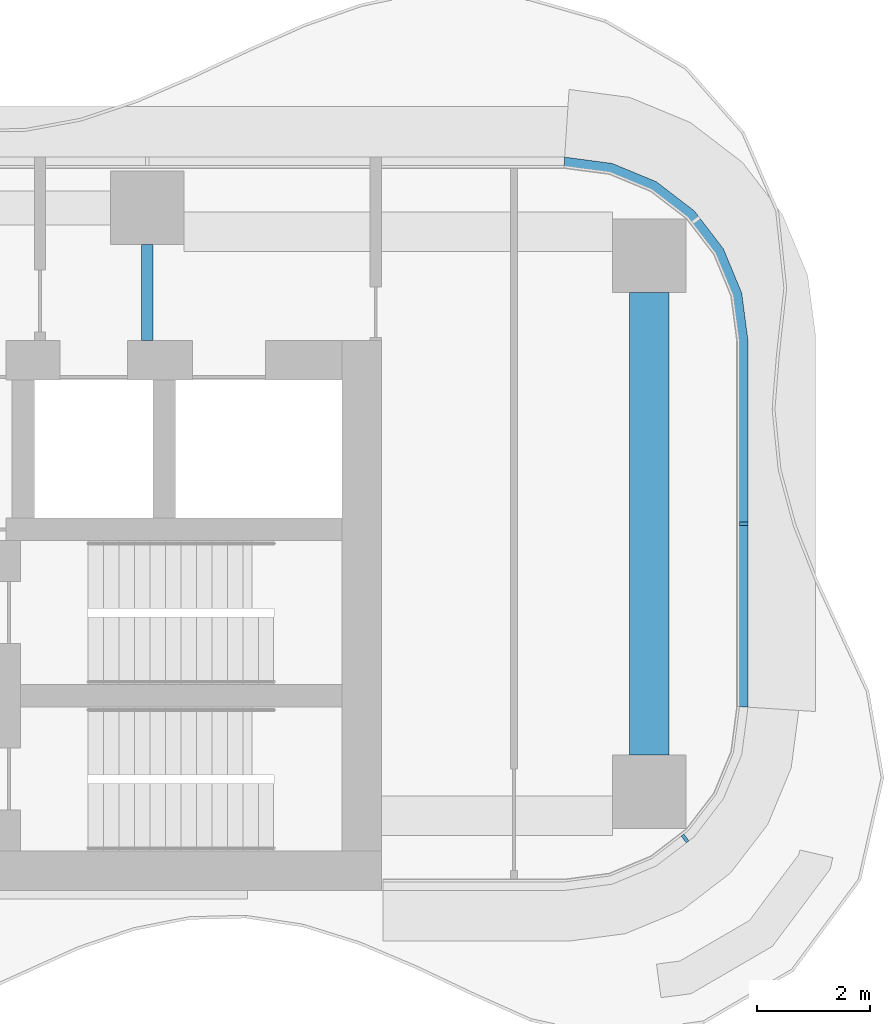
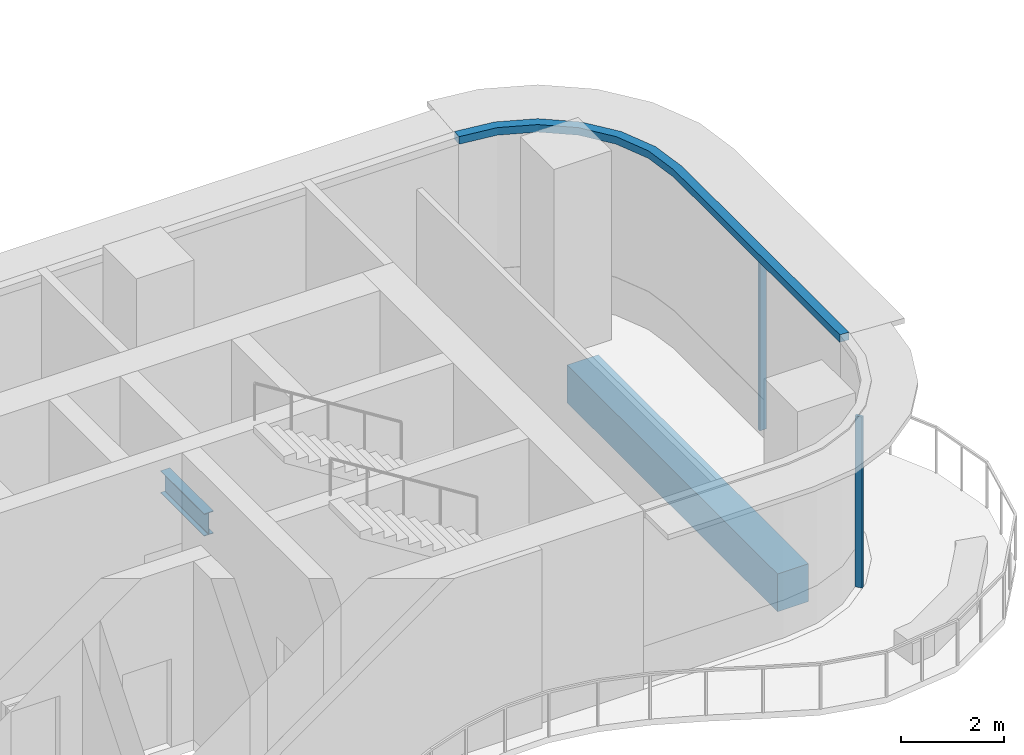
# One storey, part 7 of 20: 3 members, 2 beams, 2 elements without a shape of their own.
"""IFC4 building model written with IfcOpenShell, lengths in metres."""

from ifc_helpers import new_model, si_unit, direction, frame, origin, origin_2d, place, context, subcontext, project, spatial, polyline, rectangle, i_section, outline, extrude, source, transform, mapped, material, layer, layer_set, material_profile, profile_set, type_object, element, aggregate, save


model = new_model("IFC4")

# Units and contexts
model_context = context("Model", 3, precision=1e-05, world=origin(), true_north=direction((0.0, 1.0)))
body_context = subcontext(model_context, "Body", "Model", "MODEL_VIEW")
ifc_project = project(units=[si_unit("LENGTHUNIT", "METRE"), si_unit("AREAUNIT", "SQUARE_METRE"), si_unit("VOLUMEUNIT", "CUBIC_METRE"), si_unit("PLANEANGLEUNIT", "RADIAN"), si_unit("MASSUNIT", "GRAM", prefix="KILO")], contexts=[model_context])

# Site, building, storey
site_placement = place(None, origin())
site = spatial("IfcSite", under=ifc_project, at=site_placement, CompositionType="ELEMENT")
building_placement = place(site_placement, origin())
building = spatial("IfcBuilding", under=site, at=building_placement, Name="Trellis Farm Tower", CompositionType="ELEMENT")
storey_placement = place(building_placement, frame((0.0, 0.0, 129.0)))
storey = spatial("IfcBuildingStorey", under=building, at=storey_placement, Name="L27", CompositionType="ELEMENT", Elevation=129.0)

# Beams
ifc_material_1 = material(Name="Steel S355", Category="steel")
ifc_material_profile_1 = material_profile(ifc_material_1, i_section(OverallWidth=0.209228515625, OverallDepth=0.533203125, WebThickness=0.010009765625, FlangeThickness=0.015625, FilletRadius=0.0126953125, at=origin_2d()), Name="UB 533x210x92")
ifc_profile_set_1 = profile_set([ifc_material_profile_1], Name="Steel S355")
beam_type_1 = type_object("IfcBeamType", Name="UB 533x210x92", PredefinedType="BEAM", material=ifc_profile_set_1)
shared_shape_1 = source(origin(), body_context, "Body", "SweptSolid", [
    extrude(i_section(OverallWidth=0.209228515625, OverallDepth=0.533203125, WebThickness=0.010009765625, FlangeThickness=0.015625, FilletRadius=0.0126953125, at=origin_2d()), origin(), (0.0, 0.0, 1.0), 1.699951171875),
])
beam_1_placement = place(storey_placement, frame((18.60009765625, 3.25, -0.5166015625), z_axis=(0.0, 1.0, 0.0), x_axis=(-1.0, 0.0, 0.0)))
element("IfcBeam", 1, at=beam_1_placement, inside=storey, type_object=beam_type_1, Name="Girder", PredefinedType="BEAM", context=body_context, shape_type="MappedRepresentation", body=[
    mapped(shared_shape_1, transform((0.0, 0.0, 0.0))),
])
ifc_material_2 = material(Name="Concrete C60/75", Category="concrete")
ifc_material_profile_2 = material_profile(ifc_material_2, rectangle(XDim=0.699951171875, YDim=0.89990234375, at=origin_2d()), Name="RC spandrel beam 700x900 C60/75")
ifc_profile_set_2 = profile_set([ifc_material_profile_2], Name="Concrete C60/75")
beam_type_2 = type_object("IfcBeamType", Name="RC spandrel beam 700x900 C60/75", PredefinedType="SPANDREL", material=ifc_profile_set_2)
shared_shape_2 = source(origin(), body_context, "Body", "SweptSolid", [
    extrude(rectangle(XDim=0.699951171875, YDim=0.89990234375, at=origin_2d()), origin(), (0.0, 0.0, 1.0), 8.2001953125),
])
beam_2_placement = place(storey_placement, frame((27.5, -4.10009765625, -0.699951171875), z_axis=(0.0, 1.0, 0.0), x_axis=(-1.0, 0.0, 0.0)))
element("IfcBeam", 2, at=beam_2_placement, inside=storey, type_object=beam_type_2, Name="Girder", PredefinedType="SPANDREL", context=body_context, shape_type="MappedRepresentation", body=[
    mapped(shared_shape_2, transform((0.0, 0.0, 0.0))),
])

# Curtain wall, member
ifc_material_3 = material(Name="Aluminium and glass curtain wall", Category="aluminium")
ifc_layer_1 = layer(ifc_material_3, 0.18994140625)
ifc_layer_set_1 = layer_set([ifc_layer_1], Name="RIBBON CURTAIN WALL CW1")
curtain_wall_type = type_object("IfcCurtainWallType", Name="RIBBON CURTAIN WALL CW1", PredefinedType="NOTDEFINED", material=ifc_layer_set_1)
placement = place(storey_placement, origin())
curtain_wall_1 = element("IfcCurtainWall", 3, at=placement, inside=storey, type_object=curtain_wall_type, Name="CW1 005", PredefinedType="NOTDEFINED")
ifc_material_4 = material(Name="Aluminium extrusion 6063-T6", Category="aluminium")
ifc_material_profile_3 = material_profile(ifc_material_4, rectangle(XDim=0.06005859375, YDim=0.14990234375, at=origin_2d()), Name="MULLION 60x150")
ifc_profile_set_3 = profile_set([ifc_material_profile_3], Name="Aluminium extrusion 6063-T6")
member_type_1 = type_object("IfcMemberType", Name="CW1 MULLION 60x150", PredefinedType="MULLION", material=ifc_profile_set_3)
shared_shape_3 = source(origin(), body_context, "Body", "SweptSolid", [
    extrude(rectangle(XDim=0.06005859375, YDim=0.14990234375, at=origin_2d()), origin(), (0.0, 0.0, 1.0), 4.070068359375),
])
member_1_placement = place(storey_placement, frame((28.135498046875, -5.578369140625, 0.0), z_axis=(0.0, 0.0, 1.0), x_axis=(0.793353340291, 0.608761429009, 0.0)))
member_1 = element("IfcMember", 4, at=member_1_placement, type_object=member_type_1, Name="MU1 005-01", PredefinedType="MULLION", context=body_context, shape_type="MappedRepresentation", body=[
    mapped(shared_shape_3, transform((0.0, 0.0, 0.0))),
])
aggregate(curtain_wall_1, [member_1])

# Curtain wall, members
curtain_wall_2 = element("IfcCurtainWall", 5, at=placement, inside=storey, type_object=curtain_wall_type, Name="CW1 006", PredefinedType="NOTDEFINED")
member_2_placement = place(storey_placement, frame((29.175048828125, 0.0, 0.0), z_axis=(0.0, 0.0, 1.0), x_axis=(0.0, 1.0, 0.0)))
member_2 = element("IfcMember", 6, at=member_2_placement, type_object=member_type_1, Name="MU1 006-01", PredefinedType="MULLION", context=body_context, shape_type="MappedRepresentation", body=[
    mapped(shared_shape_3, transform((0.0, 0.0, 0.0))),
])
ifc_layer_2 = layer(ifc_material_4, 0.199951171875)
ifc_layer_set_2 = layer_set([ifc_layer_2], Name="Aluminium extrusion 6063-T6")
member_type_2 = type_object("IfcMemberType", Name="CW1 TRANSOM 200x180", PredefinedType="USERDEFINED", material=ifc_layer_set_2)
shared_shape_4 = source(origin(), body_context, "Body", "SweptSolid", [
    extrude(outline(polyline([(29.25, -3.25), (29.25, 3.25), (29.13916015625, 4.091064453125), (28.814697265625, 4.875), (28.298095703125, 5.548095703125), (27.625, 6.064697265625), (26.841064453125, 6.38916015625), (26.0, 6.5), (25.98681640625, 6.300048828125), (26.7890625, 6.1943359375), (27.524169921875, 5.889892578125), (28.155517578125, 5.405517578125), (28.639892578125, 4.774169921875), (28.9443359375, 4.0390625), (29.050048828125, 3.23681640625), (29.050048828125, -3.23681640625), (29.25, -3.25)])), origin(), (0.0, 0.0, 1.0), 0.179931640625),
])
member_3_placement = place(storey_placement, frame((0.0, 0.0, 4.070068359375)))
member_3 = element("IfcMember", 7, at=member_3_placement, type_object=member_type_2, Name="TR1 006", ObjectType="TRANSOM", PredefinedType="USERDEFINED", context=body_context, shape_type="MappedRepresentation", body=[
    mapped(shared_shape_4, transform((0.0, 0.0, 0.0))),
])
aggregate(curtain_wall_2, [member_2, member_3])

save(model, "model.ifc")
